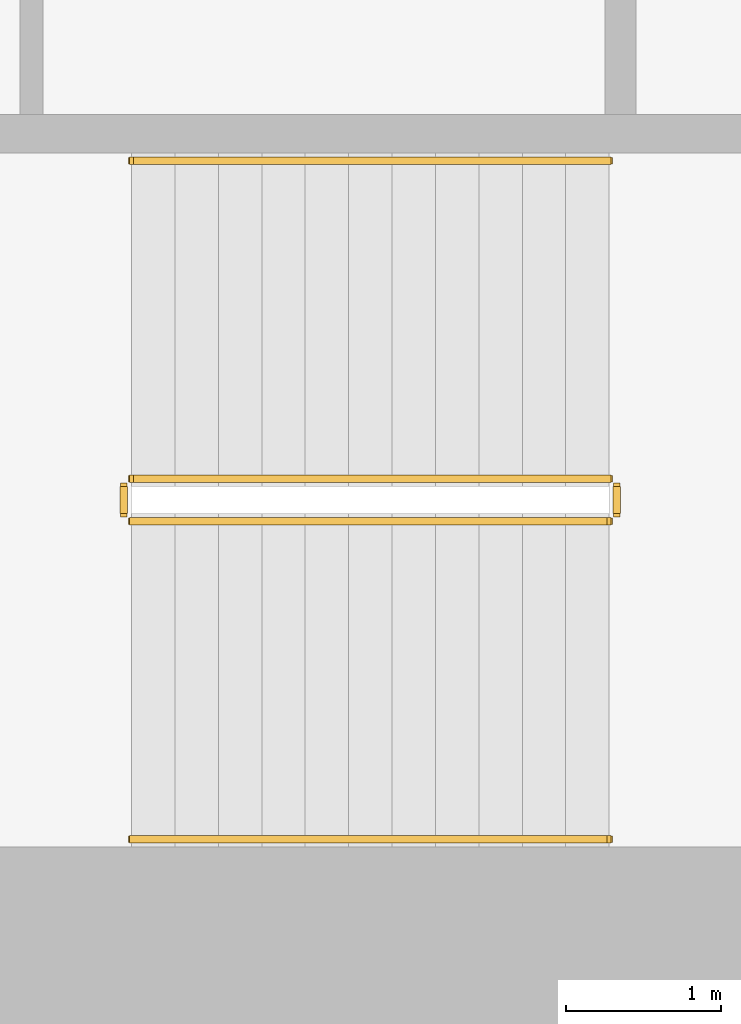
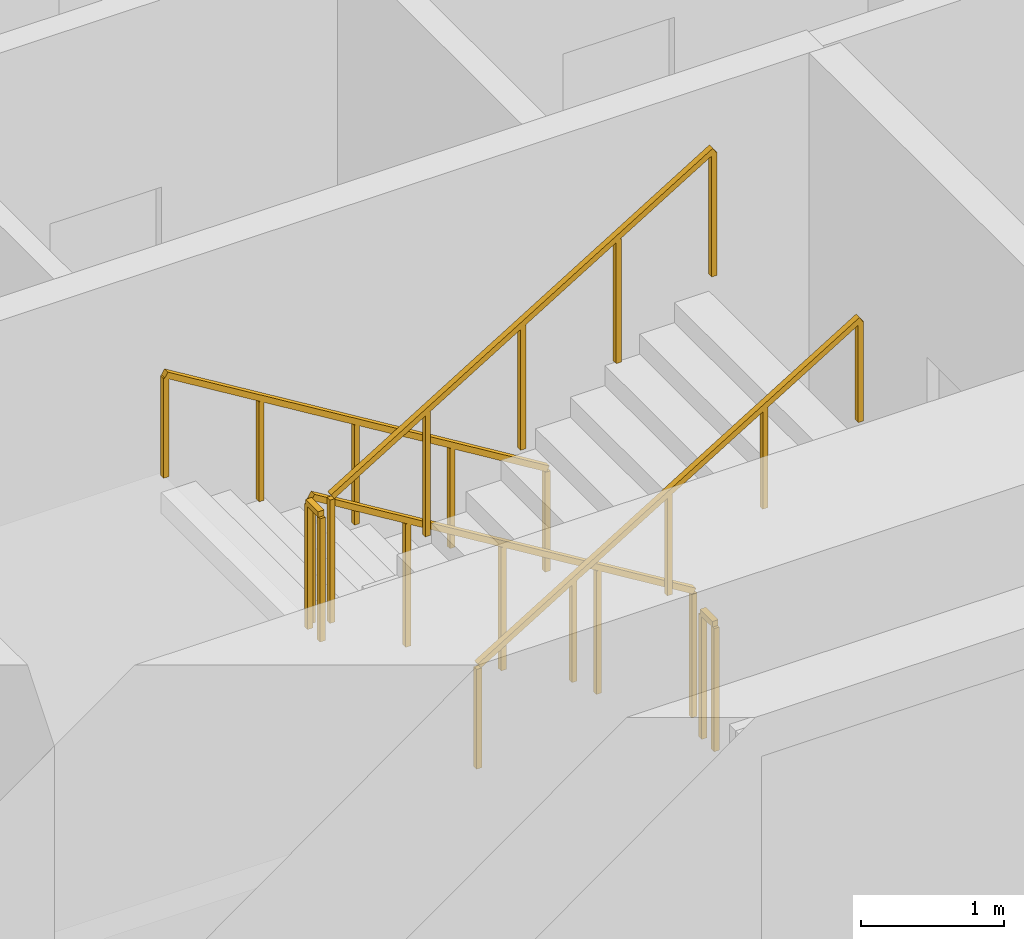
# One storey, part 10 of 15: 6 railings.
"""IFC4 building model written with IfcOpenShell, lengths in metres."""

from ifc_helpers import new_model, si_unit, direction, frame, origin, origin_2d, place, context, subcontext, project, spatial, rectangle, extrude, material, type_object, element, save


model = new_model("IFC4")

# Units and contexts
model_context = context("Model", 3, precision=1e-05, world=origin(), true_north=direction((0.0, 1.0)))
body_context = subcontext(model_context, "Body", "Model", "MODEL_VIEW")
ifc_project = project(units=[si_unit("LENGTHUNIT", "METRE"), si_unit("AREAUNIT", "SQUARE_METRE"), si_unit("VOLUMEUNIT", "CUBIC_METRE"), si_unit("PLANEANGLEUNIT", "RADIAN"), si_unit("MASSUNIT", "GRAM", prefix="KILO")], contexts=[model_context])

# Site, building, storey
site_placement = place(None, origin())
site = spatial("IfcSite", under=ifc_project, at=site_placement, CompositionType="ELEMENT")
building_placement = place(site_placement, origin())
building = spatial("IfcBuilding", under=site, at=building_placement, Name="Cypress Arch Tower", CompositionType="ELEMENT")
storey_placement = place(building_placement, frame((0.0, 0.0, 176.89990234375)))
storey = spatial("IfcBuildingStorey", under=building, at=storey_placement, Name="L38", CompositionType="ELEMENT", Elevation=176.89990234375)

# Railings
ifc_material_1 = material(Name="Black powder-coated steel square bar 48 mm", Category="steel")
railing_type_1 = type_object("IfcRailingType", Name="Stair handrail HR1", PredefinedType="HANDRAIL", material=ifc_material_1)
railing_1_placement = place(storey_placement, frame((-22.27490234375, -10.375, 0.1708984375)))
element("IfcRailing", 1, at=railing_1_placement, inside=storey, type_object=railing_type_1, Name="L38 A stair handrail 1", PredefinedType="HANDRAIL", context=body_context, shape_type="SweptSolid", body=[
    extrude(rectangle(XDim=0.048095703125, YDim=0.048095703125, at=origin_2d()), frame((0.0, 0.0, 0.8759765625), z_axis=(-0.853666305674, 0.0, 0.52082035152), x_axis=(0.0, -1.0, 0.0)), (0.0, 0.0, 1.0), 3.608154296875),
    extrude(rectangle(XDim=0.0419921875, YDim=0.0419921875, at=origin_2d()), origin(), (0.0, 0.0, 1.0), 0.851806640625),
    extrude(rectangle(XDim=0.0419921875, YDim=0.0419921875, at=origin_2d()), frame((-0.77001953125, 0.0, 0.4697265625)), (0.0, 0.0, 1.0), 0.851806640625),
    extrude(rectangle(XDim=0.0419921875, YDim=0.0419921875, at=origin_2d()), frame((-1.5400390625, 0.0, 0.939453125)), (0.0, 0.0, 1.0), 0.851806640625),
    extrude(rectangle(XDim=0.0419921875, YDim=0.0419921875, at=origin_2d()), frame((-2.31005859375, 0.0, 1.409423828125)), (0.0, 0.0, 1.0), 0.851806640625),
    extrude(rectangle(XDim=0.0419921875, YDim=0.0419921875, at=origin_2d()), frame((-3.080078125, 0.0, 1.879150390625)), (0.0, 0.0, 1.0), 0.851806640625),
])
railing_2_placement = place(storey_placement, frame((-25.35498046875, -14.75, 2.220947265625)))
element("IfcRailing", 2, at=railing_2_placement, inside=storey, type_object=railing_type_1, Name="L38 A stair handrail 2", PredefinedType="HANDRAIL", context=body_context, shape_type="SweptSolid", body=[
    extrude(rectangle(XDim=0.048095703125, YDim=0.048095703125, at=origin_2d()), frame((0.0, 0.0, 0.8759765625), z_axis=(0.853666305674, 0.0, 0.52082035152), x_axis=(0.0, 1.0, 0.0)), (0.0, 0.0, 1.0), 3.608154296875),
    extrude(rectangle(XDim=0.0419921875, YDim=0.0419921875, at=origin_2d()), origin(), (0.0, 0.0, 1.0), 0.851806640625),
    extrude(rectangle(XDim=0.0419921875, YDim=0.0419921875, at=origin_2d()), frame((0.77001953125, 0.0, 0.4697265625)), (0.0, 0.0, 1.0), 0.851806640625),
    extrude(rectangle(XDim=0.0419921875, YDim=0.0419921875, at=origin_2d()), frame((1.5400390625, 0.0, 0.939453125)), (0.0, 0.0, 1.0), 0.851806640625),
    extrude(rectangle(XDim=0.0419921875, YDim=0.0419921875, at=origin_2d()), frame((2.31005859375, 0.0, 1.409423828125)), (0.0, 0.0, 1.0), 0.851806640625),
    extrude(rectangle(XDim=0.0419921875, YDim=0.0419921875, at=origin_2d()), frame((3.080078125, 0.0, 1.879150390625)), (0.0, 0.0, 1.0), 0.851806640625),
])
ifc_material_2 = material(Name="Black powder-coated steel balusters", Category="steel")
railing_type_2 = type_object("IfcRailingType", Name="Stair well guard G1", PredefinedType="GUARDRAIL", material=ifc_material_2)
railing_3_placement = place(storey_placement, frame((-22.27490234375, -12.425048828125, 0.1708984375)))
element("IfcRailing", 3, at=railing_3_placement, inside=storey, type_object=railing_type_2, Name="L38 A stair guard 1", PredefinedType="GUARDRAIL", context=body_context, shape_type="SweptSolid", body=[
    extrude(rectangle(XDim=0.048095703125, YDim=0.048095703125, at=origin_2d()), frame((0.0, 0.0, 1.076171875), z_axis=(-0.853666305674, 0.0, 0.52082035152), x_axis=(0.0, -1.0, 0.0)), (0.0, 0.0, 1.0), 3.608154296875),
    extrude(rectangle(XDim=0.0419921875, YDim=0.0419921875, at=origin_2d()), origin(), (0.0, 0.0, 1.0), 1.052001953125),
    extrude(rectangle(XDim=0.0419921875, YDim=0.0419921875, at=origin_2d()), frame((-0.77001953125, 0.0, 0.4697265625)), (0.0, 0.0, 1.0), 1.052001953125),
    extrude(rectangle(XDim=0.0419921875, YDim=0.0419921875, at=origin_2d()), frame((-1.5400390625, 0.0, 0.939453125)), (0.0, 0.0, 1.0), 1.052001953125),
    extrude(rectangle(XDim=0.0419921875, YDim=0.0419921875, at=origin_2d()), frame((-2.31005859375, 0.0, 1.409423828125)), (0.0, 0.0, 1.0), 1.052001953125),
    extrude(rectangle(XDim=0.0419921875, YDim=0.0419921875, at=origin_2d()), frame((-3.080078125, 0.0, 1.879150390625)), (0.0, 0.0, 1.0), 1.052001953125),
])
railing_4_placement = place(storey_placement, frame((-25.405029296875, -12.47509765625, 2.050048828125)))
element("IfcRailing", 4, at=railing_4_placement, inside=storey, type_object=railing_type_2, Name="L38 A stair guard 2", PredefinedType="GUARDRAIL", context=body_context, shape_type="SweptSolid", body=[
    extrude(rectangle(XDim=0.048095703125, YDim=0.048095703125, at=origin_2d()), frame((0.0, 0.0, 1.076171875), z_axis=(0.0, -1.0, 0.0), x_axis=(1.0, 0.0, 0.0)), (0.0, 0.0, 1.0), 0.1748046875),
    extrude(rectangle(XDim=0.0419921875, YDim=0.0419921875, at=origin_2d()), origin(), (0.0, 0.0, 1.0), 1.052001953125),
    extrude(rectangle(XDim=0.0419921875, YDim=0.0419921875, at=origin_2d()), frame((0.0, -0.1748046875, 0.0)), (0.0, 0.0, 1.0), 1.052001953125),
])
railing_5_placement = place(storey_placement, frame((-25.35498046875, -12.699951171875, 2.220947265625)))
element("IfcRailing", 5, at=railing_5_placement, inside=storey, type_object=railing_type_2, Name="L38 A stair guard 3", PredefinedType="GUARDRAIL", context=body_context, shape_type="SweptSolid", body=[
    extrude(rectangle(XDim=0.048095703125, YDim=0.048095703125, at=origin_2d()), frame((0.0, 0.0, 1.076171875), z_axis=(0.853666305674, 0.0, 0.52082035152), x_axis=(0.0, 1.0, 0.0)), (0.0, 0.0, 1.0), 3.608154296875),
    extrude(rectangle(XDim=0.0419921875, YDim=0.0419921875, at=origin_2d()), origin(), (0.0, 0.0, 1.0), 1.052001953125),
    extrude(rectangle(XDim=0.0419921875, YDim=0.0419921875, at=origin_2d()), frame((0.77001953125, 0.0, 0.4697265625)), (0.0, 0.0, 1.0), 1.052001953125),
    extrude(rectangle(XDim=0.0419921875, YDim=0.0419921875, at=origin_2d()), frame((1.5400390625, 0.0, 0.939453125)), (0.0, 0.0, 1.0), 1.052001953125),
    extrude(rectangle(XDim=0.0419921875, YDim=0.0419921875, at=origin_2d()), frame((2.31005859375, 0.0, 1.409423828125)), (0.0, 0.0, 1.0), 1.052001953125),
    extrude(rectangle(XDim=0.0419921875, YDim=0.0419921875, at=origin_2d()), frame((3.080078125, 0.0, 1.879150390625)), (0.0, 0.0, 1.0), 1.052001953125),
])
railing_6_placement = place(storey_placement, frame((-22.22509765625, -12.47509765625, 0.0)))
element("IfcRailing", 6, at=railing_6_placement, inside=storey, type_object=railing_type_2, Name="L38 A stair guard 4", PredefinedType="GUARDRAIL", context=body_context, shape_type="SweptSolid", body=[
    extrude(rectangle(XDim=0.048095703125, YDim=0.048095703125, at=origin_2d()), frame((0.0, 0.0, 1.076171875), z_axis=(0.0, -1.0, 0.0), x_axis=(1.0, 0.0, 0.0)), (0.0, 0.0, 1.0), 0.1748046875),
    extrude(rectangle(XDim=0.0419921875, YDim=0.0419921875, at=origin_2d()), origin(), (0.0, 0.0, 1.0), 1.052001953125),
    extrude(rectangle(XDim=0.0419921875, YDim=0.0419921875, at=origin_2d()), frame((0.0, -0.1748046875, 0.0)), (0.0, 0.0, 1.0), 1.052001953125),
])

save(model, "model.ifc")
